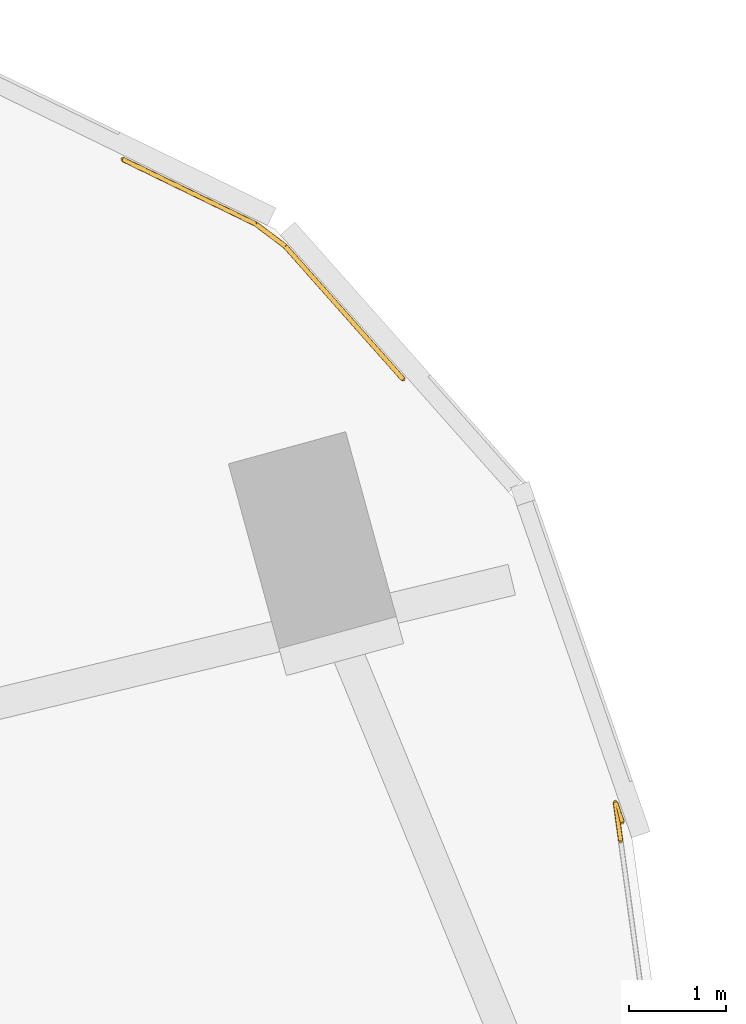
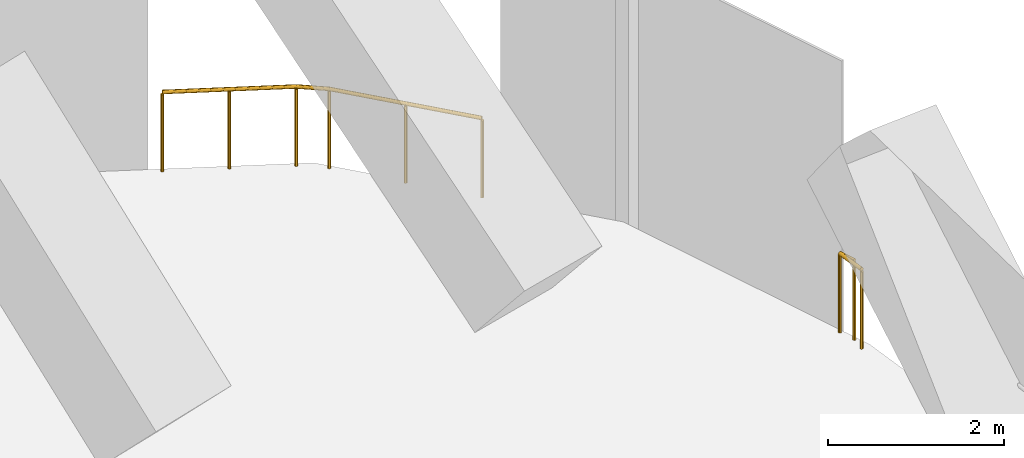
# One storey, part 29 of 29: 2 railings.
"""IFC4 building model written with IfcOpenShell, lengths in metres."""

from ifc_helpers import new_model, si_unit, direction, frame, origin, origin_2d, place, context, subcontext, project, spatial, circle, extrude, material, type_object, element, save


model = new_model("IFC4")

# Units and contexts
model_context = context("Model", 3, precision=1e-05, world=origin(), true_north=direction((0.0, 1.0)))
body_context = subcontext(model_context, "Body", "Model", "MODEL_VIEW")
ifc_project = project(units=[si_unit("LENGTHUNIT", "METRE"), si_unit("AREAUNIT", "SQUARE_METRE"), si_unit("VOLUMEUNIT", "CUBIC_METRE"), si_unit("PLANEANGLEUNIT", "RADIAN"), si_unit("MASSUNIT", "GRAM", prefix="KILO")], contexts=[model_context])

# Site, building, storey
site_placement = place(None, origin())
site = spatial("IfcSite", under=ifc_project, at=site_placement, CompositionType="ELEMENT")
building_placement = place(site_placement, origin())
building = spatial("IfcBuilding", under=site, at=building_placement, Name="Orlundy Tower", CompositionType="ELEMENT")
storey_placement = place(building_placement, frame((0.0, 0.0, 184.60009765625)))
storey = spatial("IfcBuildingStorey", under=building, at=storey_placement, Name="L48", CompositionType="ELEMENT", Elevation=184.60009765625)

# Railings
ifc_material = material(Name="Stainless steel bronze finish", Category="steel")
railing_type = type_object("IfcRailingType", Name="TG1 terrace guard", PredefinedType="GUARDRAIL", material=ifc_material)
railing_1_placement = place(storey_placement, frame((33.450439453125, 22.915283203125, 0.0)))
element("IfcRailing", 1, at=railing_1_placement, inside=storey, type_object=railing_type, Name="Guard TG-L48-E021", PredefinedType="GUARDRAIL", context=body_context, shape_type="SweptSolid", body=[
    extrude(circle(Radius=0.02490234375, at=origin_2d()), frame((0.0, 0.0, 1.09521484375), z_axis=(0.899304881129, -0.437322227629, 0.0), x_axis=(0.437322227629, 0.899304881129, 0.0)), (0.0, 0.0, 1.0), 1.524658203125),
    extrude(circle(Radius=0.02490234375, at=origin_2d()), frame((1.37109375, -0.666748046875, 1.09521484375), z_axis=(0.797035435512, -0.60393254138, 0.0), x_axis=(0.60393254138, 0.797035435512, 0.0)), (0.0, 0.0, 1.0), 0.376708984375),
    extrude(circle(Radius=0.02490234375, at=origin_2d()), frame((1.67138671875, -0.894287109375, 1.09521484375), z_axis=(0.663667608424, -0.748027610138, 0.0), x_axis=(0.748027610138, 0.663667608424, 0.0)), (0.0, 0.0, 1.0), 1.8291015625),
    extrude(circle(Radius=0.02001953125, at=origin_2d()), origin(), (0.0, 0.0, 1.0), 1.070068359375),
    extrude(circle(Radius=0.02001953125, at=origin_2d()), frame((0.685546875, -0.33349609375, 0.0)), (0.0, 0.0, 1.0), 1.070068359375),
    extrude(circle(Radius=0.02001953125, at=origin_2d()), frame((1.37109375, -0.666748046875, 0.0)), (0.0, 0.0, 1.0), 1.070068359375),
    extrude(circle(Radius=0.02001953125, at=origin_2d()), frame((1.67138671875, -0.894287109375, 0.0)), (0.0, 0.0, 1.0), 1.070068359375),
    extrude(circle(Radius=0.02001953125, at=origin_2d()), frame((2.2783203125, -1.578369140625, 0.0)), (0.0, 0.0, 1.0), 1.070068359375),
    extrude(circle(Radius=0.02001953125, at=origin_2d()), frame((2.88525390625, -2.262451171875, 0.0)), (0.0, 0.0, 1.0), 1.070068359375),
])
railing_2_placement = place(storey_placement, frame((38.572021484375, 15.905517578125, 0.0)))
element("IfcRailing", 2, at=railing_2_placement, inside=storey, type_object=railing_type, Name="Guard TG-L48-E033", PredefinedType="GUARDRAIL", context=body_context, shape_type="SweptSolid", body=[
    extrude(circle(Radius=0.02490234375, at=origin_2d()), frame((0.0, 0.0, 1.09521484375), z_axis=(-0.137684076256, 0.990476196153, 0.0), x_axis=(-0.990476196153, -0.137684076256, 0.0)), (0.0, 0.0, 1.0), 0.402587890625),
    extrude(circle(Radius=0.02490234375, at=origin_2d()), frame((-0.055419921875, 0.398681640625, 1.09521484375), z_axis=(0.326611094782, -0.945158818805, 0.0), x_axis=(0.945158818805, 0.326611094782, 0.0)), (0.0, 0.0, 1.0), 0.21826171875),
    extrude(circle(Radius=0.02001953125, at=origin_2d()), origin(), (0.0, 0.0, 1.0), 1.070068359375),
    extrude(circle(Radius=0.02001953125, at=origin_2d()), frame((-0.055419921875, 0.398681640625, 0.0)), (0.0, 0.0, 1.0), 1.070068359375),
    extrude(circle(Radius=0.02001953125, at=origin_2d()), frame((0.015869140625, 0.1923828125, 0.0)), (0.0, 0.0, 1.0), 1.070068359375),
])

save(model, "model.ifc")
